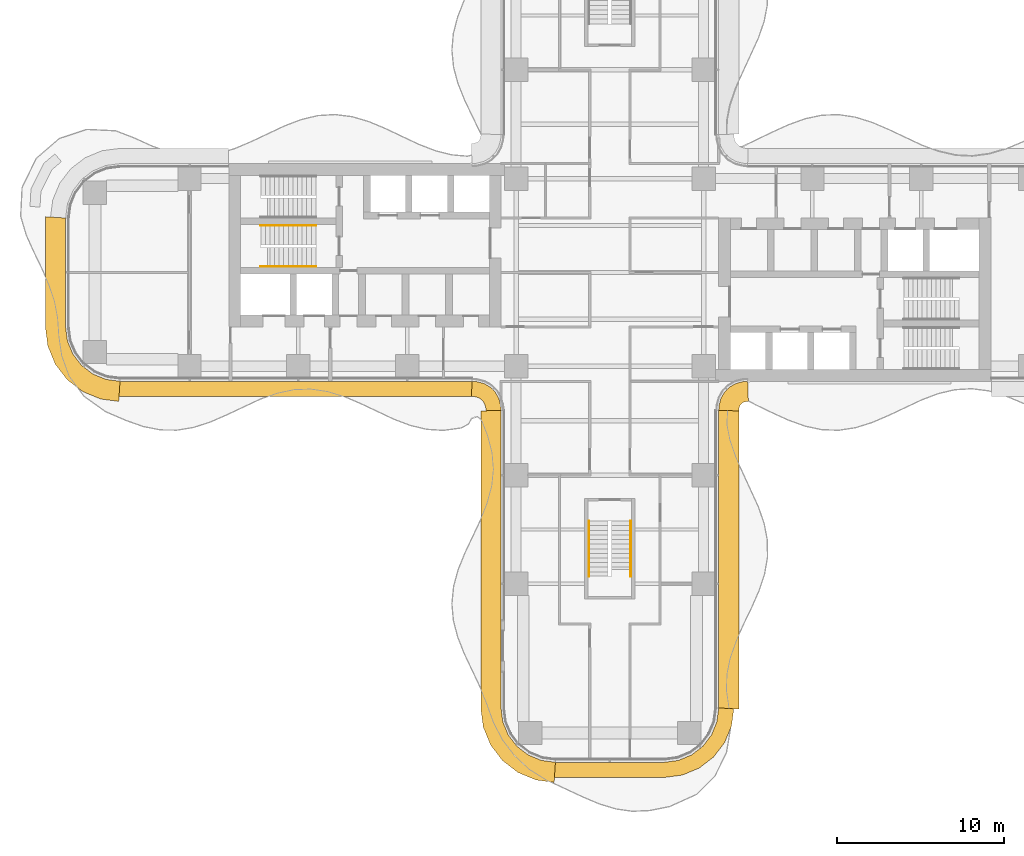
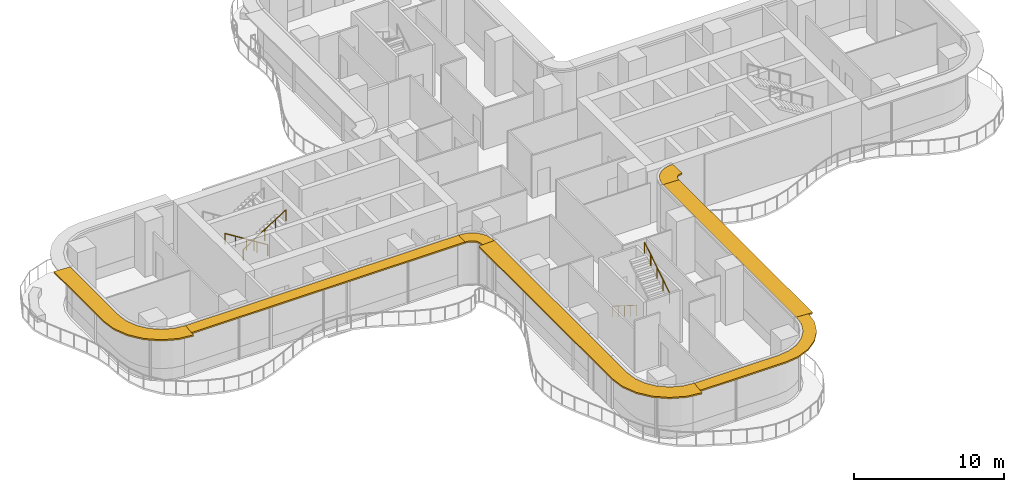
# One storey, part 21 of 22: 7 shading devices, 4 railings.
"""IFC4 building model written with IfcOpenShell, lengths in metres."""

from ifc_helpers import new_model, si_unit, direction, frame, origin, origin_2d, place, context, subcontext, project, spatial, polyline, circle, outline, extrude, source, transform, mapped, material, layer, layer_set, type_object, element, save


model = new_model("IFC4")

# Units and contexts
model_context = context("Model", 3, precision=1e-05, world=origin(), true_north=direction((0.0, 1.0)))
body_context = subcontext(model_context, "Body", "Model", "MODEL_VIEW")
ifc_project = project(units=[si_unit("LENGTHUNIT", "METRE"), si_unit("AREAUNIT", "SQUARE_METRE"), si_unit("VOLUMEUNIT", "CUBIC_METRE"), si_unit("PLANEANGLEUNIT", "RADIAN"), si_unit("MASSUNIT", "GRAM", prefix="KILO")], contexts=[model_context])

# Site, building, storey
site_placement = place(None, origin())
site = spatial("IfcSite", under=ifc_project, at=site_placement, CompositionType="ELEMENT")
building_placement = place(site_placement, origin())
building = spatial("IfcBuilding", under=site, at=building_placement, Name="Trellis Farm Tower", CompositionType="ELEMENT")
storey_placement = place(building_placement, frame((0.0, 0.0, 61.0)))
storey = spatial("IfcBuildingStorey", under=building, at=storey_placement, Name="L12", CompositionType="ELEMENT", Elevation=61.0)

# Railings
ifc_material_1 = material(Name="Stainless steel", Category="steel")
railing_type = type_object("IfcRailingType", Name="STAIR HANDRAIL 900", PredefinedType="HANDRAIL", material=ifc_material_1)
shared_shape_1 = source(origin(), body_context, "Body", "SweptSolid", [
    extrude(circle(Radius=0.02392578125, at=origin_2d()), frame((0.0, 0.0, 0.8759765625), z_axis=(0.0, 0.846319618018, 0.532675421018), x_axis=(-1.0, 0.0, 0.0)), (0.0, 0.0, 1.0), 3.89892578125),
    extrude(circle(Radius=0.02099609375, at=origin_2d()), origin(), (0.0, 0.0, 1.0), 0.851806640625),
    extrude(circle(Radius=0.02099609375, at=origin_2d()), frame((0.0, 0.824951171875, 0.519287109375)), (0.0, 0.0, 1.0), 0.851806640625),
    extrude(circle(Radius=0.02099609375, at=origin_2d()), frame((0.0, 1.64990234375, 1.03857421875)), (0.0, 0.0, 1.0), 0.851806640625),
    extrude(circle(Radius=0.02099609375, at=origin_2d()), frame((0.0, 2.474853515625, 1.5576171875)), (0.0, 0.0, 1.0), 0.851806640625),
    extrude(circle(Radius=0.02099609375, at=origin_2d()), frame((0.0, 3.2998046875, 2.076904296875)), (0.0, 0.0, 1.0), 0.851806640625),
])
railing_1_placement = place(storey_placement, frame((1.25, -18.14990234375, 2.423095703125)))
element("IfcRailing", 1, at=railing_1_placement, inside=storey, type_object=railing_type, Name="Stair handrail", PredefinedType="HANDRAIL", context=body_context, shape_type="MappedRepresentation", body=[
    mapped(shared_shape_1, transform((0.0, 0.0, 0.0))),
])
shared_shape_2 = source(origin(), body_context, "Body", "SweptSolid", [
    extrude(circle(Radius=0.02392578125, at=origin_2d()), frame((0.0, 0.0, 0.8759765625), z_axis=(0.0, -0.846319618018, 0.532675421018), x_axis=(1.0, 0.0, 0.0)), (0.0, 0.0, 1.0), 3.89892578125),
    extrude(circle(Radius=0.02099609375, at=origin_2d()), origin(), (0.0, 0.0, 1.0), 0.851806640625),
    extrude(circle(Radius=0.02099609375, at=origin_2d()), frame((0.0, -0.824951171875, 0.519287109375)), (0.0, 0.0, 1.0), 0.851806640625),
    extrude(circle(Radius=0.02099609375, at=origin_2d()), frame((0.0, -1.64990234375, 1.03857421875)), (0.0, 0.0, 1.0), 0.851806640625),
    extrude(circle(Radius=0.02099609375, at=origin_2d()), frame((0.0, -2.474853515625, 1.5576171875)), (0.0, 0.0, 1.0), 0.851806640625),
    extrude(circle(Radius=0.02099609375, at=origin_2d()), frame((0.0, -3.2998046875, 2.076904296875)), (0.0, 0.0, 1.0), 0.851806640625),
])
railing_2_placement = place(storey_placement, frame((-1.25, -14.85009765625, 0.173095703125)))
element("IfcRailing", 2, at=railing_2_placement, inside=storey, type_object=railing_type, Name="Stair handrail", PredefinedType="HANDRAIL", context=body_context, shape_type="MappedRepresentation", body=[
    mapped(shared_shape_2, transform((0.0, 0.0, 0.0))),
])
shared_shape_3 = source(origin(), body_context, "Body", "SweptSolid", [
    extrude(circle(Radius=0.02392578125, at=origin_2d()), frame((0.0, 0.0, 0.8759765625), z_axis=(0.846337383501, 0.0, 0.532647194011), x_axis=(0.0, 1.0, 0.0)), (0.0, 0.0, 1.0), 3.899169921875),
    extrude(circle(Radius=0.02099609375, at=origin_2d()), origin(), (0.0, 0.0, 1.0), 0.851806640625),
    extrude(circle(Radius=0.02099609375, at=origin_2d()), frame((0.824951171875, 0.0, 0.519287109375)), (0.0, 0.0, 1.0), 0.851806640625),
    extrude(circle(Radius=0.02099609375, at=origin_2d()), frame((1.64990234375, 0.0, 1.03857421875)), (0.0, 0.0, 1.0), 0.851806640625),
    extrude(circle(Radius=0.02099609375, at=origin_2d()), frame((2.47509765625, 0.0, 1.5576171875)), (0.0, 0.0, 1.0), 0.851806640625),
    extrude(circle(Radius=0.02099609375, at=origin_2d()), frame((3.300048828125, 0.0, 2.076904296875)), (0.0, 0.0, 1.0), 0.851806640625),
])
railing_3_placement = place(storey_placement, frame((-20.85009765625, 0.35009765625, 2.423095703125)))
element("IfcRailing", 3, at=railing_3_placement, inside=storey, type_object=railing_type, Name="Stair handrail", PredefinedType="HANDRAIL", context=body_context, shape_type="MappedRepresentation", body=[
    mapped(shared_shape_3, transform((0.0, 0.0, 0.0))),
])
shared_shape_4 = source(origin(), body_context, "Body", "SweptSolid", [
    extrude(circle(Radius=0.02392578125, at=origin_2d()), frame((0.0, 0.0, 0.8759765625), z_axis=(-0.846337383501, 0.0, 0.532647194011), x_axis=(0.0, -1.0, 0.0)), (0.0, 0.0, 1.0), 3.899169921875),
    extrude(circle(Radius=0.02099609375, at=origin_2d()), origin(), (0.0, 0.0, 1.0), 0.851806640625),
    extrude(circle(Radius=0.02099609375, at=origin_2d()), frame((-0.824951171875, 0.0, 0.519287109375)), (0.0, 0.0, 1.0), 0.851806640625),
    extrude(circle(Radius=0.02099609375, at=origin_2d()), frame((-1.64990234375, 0.0, 1.03857421875)), (0.0, 0.0, 1.0), 0.851806640625),
    extrude(circle(Radius=0.02099609375, at=origin_2d()), frame((-2.47509765625, 0.0, 1.5576171875)), (0.0, 0.0, 1.0), 0.851806640625),
    extrude(circle(Radius=0.02099609375, at=origin_2d()), frame((-3.300048828125, 0.0, 2.076904296875)), (0.0, 0.0, 1.0), 0.851806640625),
])
railing_4_placement = place(storey_placement, frame((-17.550048828125, 2.800048828125, 0.173095703125)))
element("IfcRailing", 4, at=railing_4_placement, inside=storey, type_object=railing_type, Name="Stair handrail", PredefinedType="HANDRAIL", context=body_context, shape_type="MappedRepresentation", body=[
    mapped(shared_shape_4, transform((0.0, 0.0, 0.0))),
])

# Shading devices
ifc_material_2 = material(Name="Aluminium extrusion 6063-T6", Category="aluminium")
ifc_layer_1 = layer(ifc_material_2, 0.1201171875)
ifc_layer_set_1 = layer_set([ifc_layer_1], Name="SUNSHADE BLADE 900")
shading_device_type_1 = type_object("IfcShadingDeviceType", Name="SUNSHADE BLADE 900", PredefinedType="USERDEFINED", material=ifc_layer_set_1)
shared_shape_5 = source(origin(), body_context, "Body", "SweptSolid", [
    extrude(outline(polyline([(-29.30908203125, -7.39990234375), (-8.2607421875, -7.39990234375), (-8.2314453125, -6.5), (-29.25, -6.5), (-29.30908203125, -7.39990234375)])), origin(), (0.0, 0.0, 1.0), 0.119873046875),
])
placement = place(storey_placement, frame((0.0, 0.0, 4.090087890625)))
element("IfcShadingDevice", 5, at=placement, inside=storey, type_object=shading_device_type_1, Name="SD1 001", ObjectType="SUNSHADE", PredefinedType="USERDEFINED", context=body_context, shape_type="MappedRepresentation", body=[
    mapped(shared_shape_5, transform((0.0, 0.0, 0.0))),
])
shared_shape_6 = source(origin(), body_context, "Body", "SweptSolid", [
    extrude(outline(polyline([(-8.2607421875, -7.39990234375), (-8.107666015625, -7.409912109375), (-8.091552734375, -7.412109375), (-7.85595703125, -7.475341796875), (-7.697021484375, -7.567138671875), (-7.567138671875, -7.697021484375), (-7.475341796875, -7.85595703125), (-7.412109375, -8.091552734375), (-7.409912109375, -8.107666015625), (-7.39990234375, -8.2607421875), (-6.5, -8.2314453125), (-6.513916015625, -8.01953125), (-6.527587890625, -7.91552734375), (-6.63671875, -7.508544921875), (-6.846923828125, -7.144287109375), (-7.144287109375, -6.846923828125), (-7.508544921875, -6.63671875), (-7.91552734375, -6.527587890625), (-8.01953125, -6.513916015625), (-8.2314453125, -6.5), (-8.2607421875, -7.39990234375)])), origin(), (0.0, 0.0, 1.0), 0.119873046875),
])
element("IfcShadingDevice", 6, at=placement, inside=storey, type_object=shading_device_type_1, Name="SD1 002", ObjectType="SUNSHADE", PredefinedType="USERDEFINED", context=body_context, shape_type="MappedRepresentation", body=[
    mapped(shared_shape_6, transform((0.0, 0.0, 0.0))),
])
ifc_layer_2 = layer(ifc_material_2, 0.1201171875)
ifc_layer_set_2 = layer_set([ifc_layer_2], Name="SUNSHADE BLADE 1200")
shading_device_type_2 = type_object("IfcShadingDeviceType", Name="SUNSHADE BLADE 1200", PredefinedType="USERDEFINED", material=ifc_layer_set_2)
shared_shape_7 = source(origin(), body_context, "Body", "SweptSolid", [
    extrude(outline(polyline([(-7.699951171875, -8.270751953125), (-7.699951171875, -26.07861328125), (-7.558349609375, -27.154541015625), (-7.11279296875, -28.230224609375), (-6.404052734375, -29.154052734375), (-5.480224609375, -29.86279296875), (-4.404541015625, -30.308349609375), (-3.32861328125, -30.449951171875), (-3.25, -29.25), (-4.091064453125, -29.13916015625), (-4.875, -28.814697265625), (-5.548095703125, -28.298095703125), (-6.064697265625, -27.625), (-6.38916015625, -26.841064453125), (-6.5, -26.0), (-6.5, -8.2314453125), (-7.699951171875, -8.270751953125)])), origin(), (0.0, 0.0, 1.0), 0.119873046875),
])
element("IfcShadingDevice", 7, at=placement, inside=storey, type_object=shading_device_type_2, Name="SD2 003", ObjectType="SUNSHADE", PredefinedType="USERDEFINED", context=body_context, shape_type="MappedRepresentation", body=[
    mapped(shared_shape_7, transform((0.0, 0.0, 0.0))),
])
shared_shape_8 = source(origin(), body_context, "Body", "SweptSolid", [
    extrude(outline(polyline([(-3.30908203125, -30.14990234375), (3.30908203125, -30.14990234375), (4.326171875, -30.01611328125), (5.328857421875, -29.600830078125), (6.18994140625, -28.93994140625), (6.850830078125, -28.078857421875), (7.26611328125, -27.076171875), (7.39990234375, -26.05908203125), (6.5, -26.0), (6.38916015625, -26.841064453125), (6.064697265625, -27.625), (5.548095703125, -28.298095703125), (4.875, -28.814697265625), (4.091064453125, -29.13916015625), (3.25, -29.25), (-3.25, -29.25), (-3.30908203125, -30.14990234375)])), origin(), (0.0, 0.0, 1.0), 0.119873046875),
])
element("IfcShadingDevice", 8, at=placement, inside=storey, type_object=shading_device_type_1, Name="SD1 004", ObjectType="SUNSHADE", PredefinedType="USERDEFINED", context=body_context, shape_type="MappedRepresentation", body=[
    mapped(shared_shape_8, transform((0.0, 0.0, 0.0))),
])
shared_shape_9 = source(origin(), body_context, "Body", "SweptSolid", [
    extrude(outline(polyline([(7.699951171875, -26.07861328125), (7.699951171875, -8.270751953125), (6.5, -8.2314453125), (6.5, -26.0), (7.699951171875, -26.07861328125)])), origin(), (0.0, 0.0, 1.0), 0.119873046875),
])
element("IfcShadingDevice", 9, at=placement, inside=storey, type_object=shading_device_type_2, Name="SD2 005", ObjectType="SUNSHADE", PredefinedType="USERDEFINED", context=body_context, shape_type="MappedRepresentation", body=[
    mapped(shared_shape_9, transform((0.0, 0.0, 0.0))),
])
shared_shape_10 = source(origin(), body_context, "Body", "SweptSolid", [
    extrude(outline(polyline([(7.699951171875, -8.270751953125), (7.708740234375, -8.13720703125), (7.70703125, -8.150146484375), (7.7548828125, -7.9716796875), (7.80712890625, -7.881103515625), (7.881103515625, -7.80712890625), (7.9716796875, -7.7548828125), (8.150146484375, -7.70703125), (8.13720703125, -7.708740234375), (8.270751953125, -7.699951171875), (8.2314453125, -6.5), (8.01953125, -6.513916015625), (7.91552734375, -6.527587890625), (7.508544921875, -6.63671875), (7.144287109375, -6.846923828125), (6.846923828125, -7.144287109375), (6.63671875, -7.508544921875), (6.527587890625, -7.91552734375), (6.513916015625, -8.01953125), (6.5, -8.2314453125), (7.699951171875, -8.270751953125)])), origin(), (0.0, 0.0, 1.0), 0.119873046875),
])
element("IfcShadingDevice", 10, at=placement, inside=storey, type_object=shading_device_type_2, Name="SD2 006", ObjectType="SUNSHADE", PredefinedType="USERDEFINED", context=body_context, shape_type="MappedRepresentation", body=[
    mapped(shared_shape_10, transform((0.0, 0.0, 0.0))),
])
shared_shape_11 = source(origin(), body_context, "Body", "SweptSolid", [
    extrude(outline(polyline([(-33.699951171875, 3.32861328125), (-33.699951171875, -3.32861328125), (-33.558349609375, -4.404541015625), (-33.11279296875, -5.480224609375), (-32.404052734375, -6.404052734375), (-31.480224609375, -7.11279296875), (-30.404541015625, -7.558349609375), (-29.32861328125, -7.699951171875), (-29.25, -6.5), (-30.091064453125, -6.38916015625), (-30.875, -6.064697265625), (-31.548095703125, -5.548095703125), (-32.064697265625, -4.875), (-32.38916015625, -4.091064453125), (-32.5, -3.25), (-32.5, 3.25), (-33.699951171875, 3.32861328125)])), origin(), (0.0, 0.0, 1.0), 0.119873046875),
])
element("IfcShadingDevice", 11, at=placement, inside=storey, type_object=shading_device_type_2, Name="SD2 016", ObjectType="SUNSHADE", PredefinedType="USERDEFINED", context=body_context, shape_type="MappedRepresentation", body=[
    mapped(shared_shape_11, transform((0.0, 0.0, 0.0))),
])

save(model, "model.ifc")
